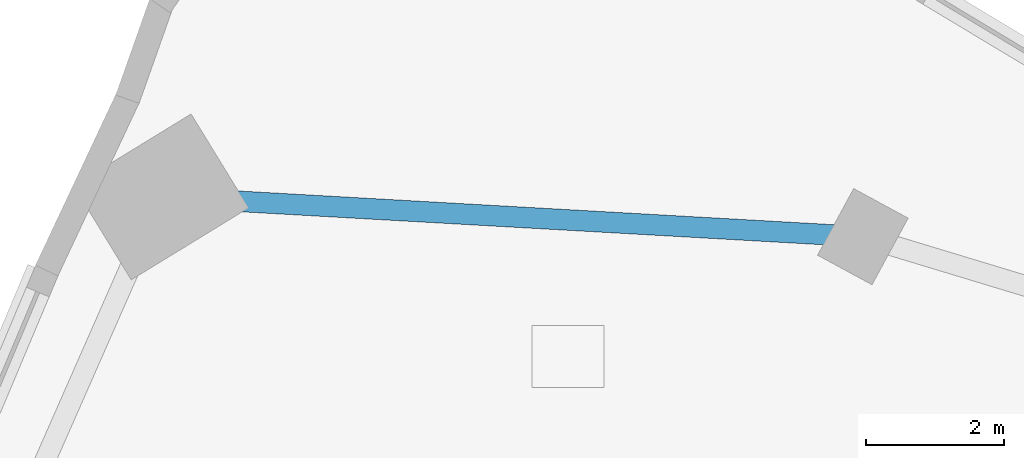
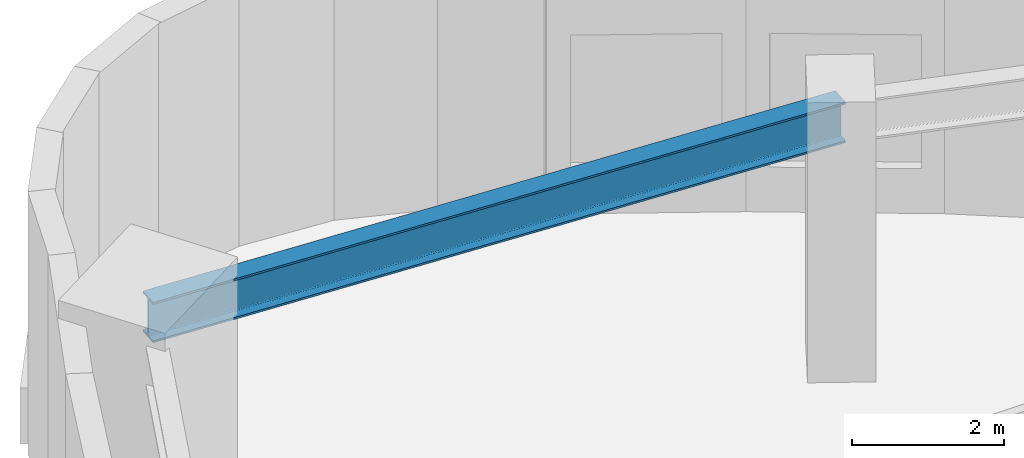
# One storey, part 10 of 19: 1 beam.
"""IFC4 building model written with IfcOpenShell, lengths in metres."""

from ifc_helpers import new_model, si_unit, direction, frame, origin, origin_2d, place, context, subcontext, project, spatial, i_section, extrude, material, material_profile, profile_set, type_object, element, save


model = new_model("IFC4")

# Units and contexts
model_context = context("Model", 3, precision=1e-05, world=origin(), true_north=direction((0.0, 1.0)))
body_context = subcontext(model_context, "Body", "Model", "MODEL_VIEW")
ifc_project = project(units=[si_unit("LENGTHUNIT", "METRE"), si_unit("AREAUNIT", "SQUARE_METRE"), si_unit("VOLUMEUNIT", "CUBIC_METRE"), si_unit("PLANEANGLEUNIT", "RADIAN"), si_unit("MASSUNIT", "GRAM", prefix="KILO")], contexts=[model_context])

# Site, building, storey
site_placement = place(None, origin())
site = spatial("IfcSite", under=ifc_project, at=site_placement, CompositionType="ELEMENT")
building_placement = place(site_placement, origin())
building = spatial("IfcBuilding", under=site, at=building_placement, Name="Ndelora Gate Hotel", CompositionType="ELEMENT")
storey_placement = place(building_placement, frame((0.0, 0.0, 88.25)))
storey = spatial("IfcBuildingStorey", under=building, at=storey_placement, Name="L21", CompositionType="ELEMENT", Elevation=88.25)

# Beam
ifc_material = material(Name="Steel S355", Category="steel")
ifc_material_profile = material_profile(ifc_material, i_section(OverallWidth=0.300048828125, OverallDepth=0.64990234375, WebThickness=0.01611328125, FlangeThickness=0.031005859375, FilletRadius=0.027099609375, at=origin_2d()), Name="HEB 650")
ifc_profile_set = profile_set([ifc_material_profile], Name="Steel S355")
beam_type = type_object("IfcBeamType", Name="BM-RING-650", PredefinedType="SPANDREL", material=ifc_profile_set)
beam_placement = place(storey_placement, frame((-0.439208984375, 16.7744140625, 3.885009765625), z_axis=(-0.998399808671, 0.056549288648, 0.0), x_axis=(-0.056549288648, -0.998399808671, 0.0)))
element("IfcBeam", 1, at=beam_placement, inside=storey, type_object=beam_type, Name="L21 Perimeter Spandrel Girder 12", PredefinedType="SPANDREL", context=body_context, shape_type="SweptSolid", body=[
    extrude(i_section(OverallWidth=0.300048828125, OverallDepth=0.64990234375, WebThickness=0.01611328125, FlangeThickness=0.031005859375, FilletRadius=0.027099609375, at=origin_2d()), origin(), (0.0, 0.0, 1.0), 10.21044921875),
])

save(model, "model.ifc")
